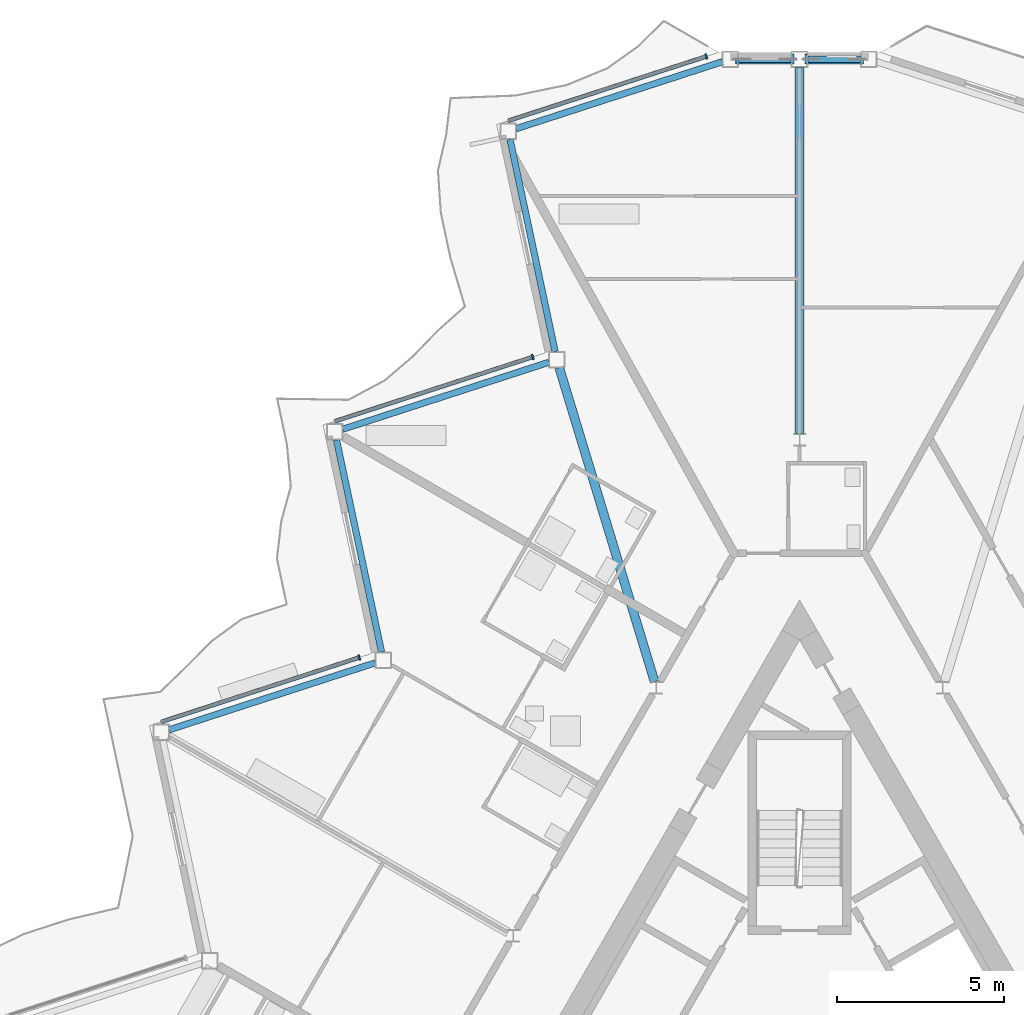
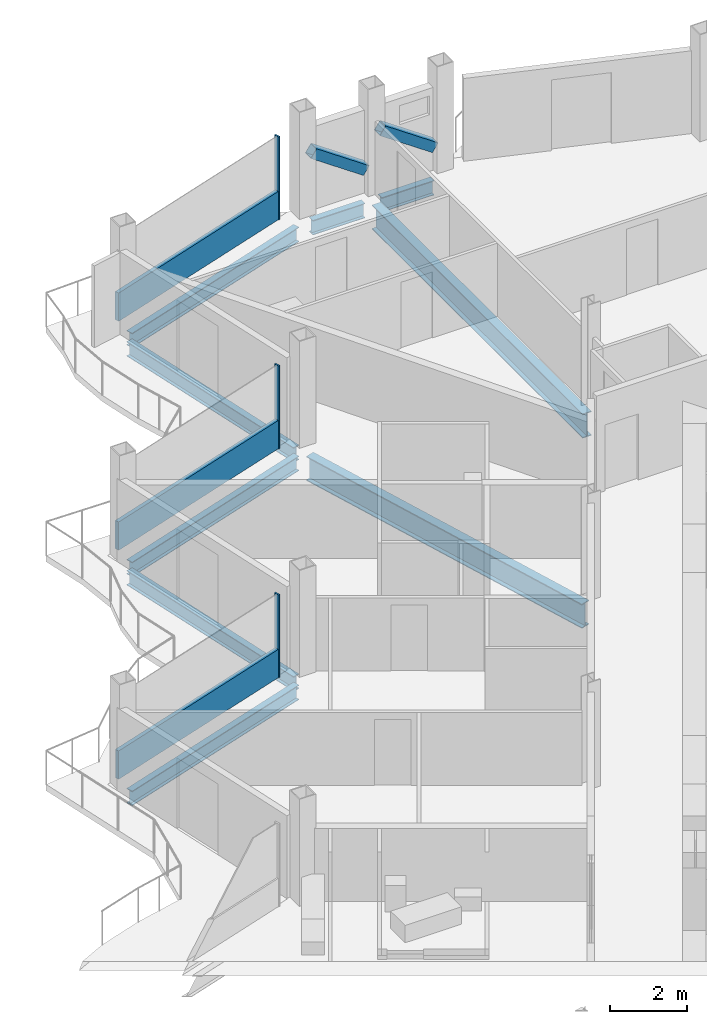
# One storey, part 9 of 26: 9 beams, 8 members, 3 elements without a shape of their own.
"""IFC4 building model written with IfcOpenShell, lengths in metres."""

import ifcopenshell
import ifcopenshell.guid

model = None  # the IFC model being written
_history = None  # IfcOwnerHistory: only IFC2X3 demands one
_inside = {}  # id of a spatial element -> (the spatial element, [elements in it])
_under = {}  # id of a project, library or spatial element -> (it, [spatial elements below it])
_declared = {}  # id of a project -> (the project, [libraries it declares])
_typed = {}  # id of a type object -> (the type object, [elements of that type])
_made_of = {}  # id of a material, layer set ... -> (it, [elements and type objects made of it])


def new_model(schema):
    """Start an empty IFC model of exactly this schema.

    Asked for "IFC4X3", IfcOpenShell would pick the latest addendum, in which some entities
    have other attributes; the version numbers below select the first issue.
    IFC2X3 requires an IfcOwnerHistory on every rooted entity: one is made here for all.
    """
    global model, _history
    if schema == "IFC4X3":
        model = ifcopenshell.file(schema_version=(4, 3, 0, 0))
    else:
        model = ifcopenshell.file(schema=schema)
    _inside.clear()
    _under.clear()
    _declared.clear()
    _typed.clear()
    _made_of.clear()
    _history = None
    if model.schema == "IFC2X3":
        org = make("IfcOrganization", Name="unknown")
        user = make(
            "IfcPersonAndOrganization",
            ThePerson=make("IfcPerson", FamilyName="unknown"),
            TheOrganization=org,
        )
        app = make(
            "IfcApplication",
            ApplicationDeveloper=org,
            Version="unknown",
            ApplicationFullName="unknown",
            ApplicationIdentifier="unknown",
        )
        _history = make(
            "IfcOwnerHistory",
            OwningUser=user,
            OwningApplication=app,
            ChangeAction="ADDED",
            CreationDate=0,
        )
    return model


def make(cls, **values):
    """One entity of the class cls with the attributes given. An attribute that is None is left unset."""
    return model.create_entity(
        cls, **{name: value for name, value in values.items() if value is not None}
    )


def rooted(cls, **values):
    """An entity with a GlobalId (a new one), such as an element, a storey or a relation."""
    return make(cls, GlobalId=ifcopenshell.guid.new(), OwnerHistory=_history, **values)


def si_unit(unit_type, name, prefix=None):
    """IfcSIUnit, for example si_unit("LENGTHUNIT", "METRE", prefix="MILLI")."""
    return make("IfcSIUnit", UnitType=unit_type, Prefix=prefix, Name=name)


def assignment(units):
    """IfcUnitAssignment: the units of a project."""
    return None if units is None else make("IfcUnitAssignment", Units=units)


def point(xyz):
    """IfcCartesianPoint."""
    return None if xyz is None else make("IfcCartesianPoint", Coordinates=xyz)


def direction(xyz):
    """IfcDirection."""
    return None if xyz is None else make("IfcDirection", DirectionRatios=xyz)


def frame(location, z_axis=None, x_axis=None):
    """IfcAxis2Placement3D, a coordinate frame: its origin and axes. An axis left out is left unset."""
    return make(
        "IfcAxis2Placement3D",
        Location=point(location),
        Axis=direction(z_axis),
        RefDirection=direction(x_axis),
    )


def frame_2d(location, x_axis=None):
    """IfcAxis2Placement2D, a coordinate frame in the plane: its origin and x axis."""
    return make(
        "IfcAxis2Placement2D", Location=point(location), RefDirection=direction(x_axis)
    )


def origin():
    """The frame at (0, 0, 0) with its axes left unset."""
    return frame((0.0, 0.0, 0.0))


def origin_2d():
    """The frame at (0, 0) in the plane with its x axis left unset."""
    return frame_2d((0.0, 0.0))


def place(relative_to, where):
    """IfcLocalPlacement: puts the frame where relative to a parent placement (None: the world)."""
    return make(
        "IfcLocalPlacement", PlacementRelTo=relative_to, RelativePlacement=where
    )


def context(
    kind, dimensions, precision=None, world=None, true_north=None, identifier=None
):
    """IfcGeometricRepresentationContext, for example the 3D "Model" context."""
    return make(
        "IfcGeometricRepresentationContext",
        ContextIdentifier=identifier,
        ContextType=kind,
        CoordinateSpaceDimension=dimensions,
        Precision=precision,
        WorldCoordinateSystem=world,
        TrueNorth=true_north,
    )


def subcontext(parent, identifier, kind, view, scale=None):
    """IfcGeometricRepresentationSubContext, for example "Body" below "Model"."""
    return make(
        "IfcGeometricRepresentationSubContext",
        ContextIdentifier=identifier,
        ContextType=kind,
        ParentContext=parent,
        TargetScale=scale,
        TargetView=view,
    )


def project(units=None, contexts=None):
    """IfcProject with its units and contexts."""
    return rooted(
        "IfcProject",
        Name="project",
        RepresentationContexts=contexts,
        UnitsInContext=assignment(units),
    )


def spatial(cls, under=None, at=None, **own):
    """A site, building, storey or space (cls), placed at a placement, below another one or the project."""
    s = rooted(cls, ObjectPlacement=at, **own)
    if under is not None:
        _under.setdefault(under.id(), (under, []))[1].append(s)
    return s


def profile(cls, at=None, kind="AREA", **sizes):
    """A parametric profile (cls). Its sizes go by their IFC names, for example OverallWidth=200.0."""
    return make(cls, ProfileType=kind, Position=at, **sizes)


def rectangle(**sizes):
    """IfcRectangleProfileDef."""
    return profile("IfcRectangleProfileDef", **sizes)


def hollow_rectangle(**sizes):
    """IfcRectangleHollowProfileDef."""
    return profile("IfcRectangleHollowProfileDef", **sizes)


def i_section(**sizes):
    """IfcIShapeProfileDef."""
    return profile("IfcIShapeProfileDef", **sizes)


def extrude(swept, where, along, depth):
    """IfcExtrudedAreaSolid: the profile swept, set in the frame where, extruded along a direction by depth."""
    return make(
        "IfcExtrudedAreaSolid",
        SweptArea=swept,
        Position=where,
        ExtrudedDirection=direction(along),
        Depth=depth,
    )


def shape(context_of_items, identifier, shape_type, items):
    """IfcShapeRepresentation: the items that make up one representation, for example the "Body"."""
    return make(
        "IfcShapeRepresentation",
        ContextOfItems=context_of_items,
        RepresentationIdentifier=identifier,
        RepresentationType=shape_type,
        Items=items,
    )


def material(Name=None, Category=None):
    """IfcMaterial."""
    return make("IfcMaterial", Name=Name, Category=Category)


def layer(
    of_material, thickness, ventilated=None, Name=None, Category=None, Priority=None
):
    """IfcMaterialLayer: one layer of a wall or slab, of a material (None: an air gap)."""
    return make(
        "IfcMaterialLayer",
        Material=of_material,
        LayerThickness=thickness,
        IsVentilated=ventilated,
        Name=Name,
        Category=Category,
        Priority=Priority,
    )


def layer_set(layers, Name=None):
    """IfcMaterialLayerSet."""
    return make("IfcMaterialLayerSet", MaterialLayers=layers, LayerSetName=Name)


def material_profile(
    of_material, cross_section, Name=None, Category=None, Priority=None
):
    """IfcMaterialProfile: a cross section and its material."""
    return make(
        "IfcMaterialProfile",
        Name=Name,
        Material=of_material,
        Profile=cross_section,
        Priority=Priority,
        Category=Category,
    )


def profile_set(profiles, Name=None, composite=None):
    """IfcMaterialProfileSet."""
    return make(
        "IfcMaterialProfileSet",
        Name=Name,
        MaterialProfiles=profiles,
        CompositeProfile=composite,
    )


def made_of(thing, what):
    """Note that an element or type object is made of a material, layer set ...; save() writes the relation."""
    if what is not None:
        _made_of.setdefault(what.id(), (what, []))[1].append(thing)
    return thing


def type_object(cls, material=None, **own):
    """A type object (cls), such as IfcWallType, which elements share."""
    return made_of(rooted(cls, **own), material)


def element(
    cls,
    number,
    at=None,
    inside=None,
    cuts=None,
    type_object=None,
    material=None,
    context=None,
    identifier="Body",
    shape_type=None,
    held_by="IfcProductDefinitionShape",
    body=None,
    shapes=None,
    **own,
):
    """One element of the class cls, such as IfcWall. Its Tag is "e" and its number.

    at: its placement. inside: the storey or other place that contains it. cuts: it is an
    opening in that element (IfcRelVoidsElement). A single representation is given by context,
    identifier, shape_type and body (its items); several are given by shapes. held_by: the class
    of the entity that holds the representations. save() writes the other relations.
    """
    e = rooted(cls, Tag="e%d" % number, ObjectPlacement=at, **own)
    if body is not None:
        shapes = [shape(context, identifier, shape_type, body)]
    if shapes is not None:
        e.Representation = make(held_by, Representations=shapes)
    if inside is not None:
        _inside.setdefault(inside.id(), (inside, []))[1].append(e)
    if cuts is not None:
        rooted(
            "IfcRelVoidsElement", RelatingBuildingElement=cuts, RelatedOpeningElement=e
        )
    if type_object is not None:
        _typed.setdefault(type_object.id(), (type_object, []))[1].append(e)
    return made_of(e, material)


def aggregate(whole, parts):
    """IfcRelAggregates: a whole, such as a stair, and the parts it consists of."""
    return rooted("IfcRelAggregates", RelatingObject=whole, RelatedObjects=parts)


def save(model, path):
    """Write the relations noted so far, then the file.

    IfcRelAggregates (storeys below a building ...), IfcRelContainedInSpatialStructure (elements
    in a storey), IfcRelDefinesByType, IfcRelAssociatesMaterial and IfcRelDeclares: one each for
    every whole, place, type object, material and project.
    """
    for whole, parts in _under.values():
        aggregate(whole, parts)
    for where, things in _inside.values():
        rooted(
            "IfcRelContainedInSpatialStructure",
            RelatedElements=things,
            RelatingStructure=where,
        )
    for kind, things in _typed.values():
        rooted("IfcRelDefinesByType", RelatedObjects=things, RelatingType=kind)
    for what, things in _made_of.values():
        rooted("IfcRelAssociatesMaterial", RelatedObjects=things, RelatingMaterial=what)
    for by, libraries in _declared.values():
        rooted("IfcRelDeclares", RelatingContext=by, RelatedDefinitions=libraries)
    model.write(path)


model = new_model("IFC4")

# Units and contexts
model_context = context("Model", 3, precision=1e-05, world=origin(), true_north=direction((0.0, 1.0)))
body_context = subcontext(model_context, "Body", "Model", "MODEL_VIEW")
ifc_project = project(units=[si_unit("LENGTHUNIT", "METRE"), si_unit("AREAUNIT", "SQUARE_METRE"), si_unit("VOLUMEUNIT", "CUBIC_METRE"), si_unit("PLANEANGLEUNIT", "RADIAN"), si_unit("MASSUNIT", "GRAM", prefix="KILO")], contexts=[model_context])

# Site, building, storey
site_placement = place(None, origin())
site = spatial("IfcSite", under=ifc_project, at=site_placement, CompositionType="ELEMENT")
building_placement = place(site_placement, origin())
building = spatial("IfcBuilding", under=site, at=building_placement, Name="Cormorant Prow Tower", CompositionType="ELEMENT")
storey_placement = place(building_placement, frame((0.0, 0.0, 384.800048828125)))
storey = spatial("IfcBuildingStorey", under=building, at=storey_placement, Name="L87", CompositionType="ELEMENT", Elevation=384.800048828125)

# Members
ifc_material_1 = material(Name="Structural steel ASTM A500 Gr C", Category="steel")
ifc_material_profile_1 = material_profile(ifc_material_1, hollow_rectangle(XDim=0.3046875, YDim=0.3046875, WallThickness=0.01171875, at=origin_2d()), Name="HSS12x12x1/2")
ifc_profile_set_1 = profile_set([ifc_material_profile_1], Name="Structural steel ASTM A500 Gr C")
member_type_1 = type_object("IfcMemberType", Name="Chamfer brace HSS12x12x1/2", PredefinedType="BRACE", material=ifc_profile_set_1)
for number, where, z_axis, x_axis, name in (
    (1, (1.8271484375, 31.219482421875, 0.7705078125), (-0.82250770082, 0.0, 0.568753973254), (0.0, -1.0, 0.0), "Chamfer brace BR3 at N00 L87"),
    (2, (-0.246826171875, 31.219482421875, 0.7705078125), (-0.82250770082, 0.0, 0.568753973254), (0.0, -1.0, 0.0), "Chamfer brace BR3 at N01 L87"),
):
    element("IfcMember", number, at=place(storey_placement, frame(where, z_axis=z_axis, x_axis=x_axis)), inside=storey, type_object=member_type_1, Name=name, PredefinedType="BRACE", context=body_context, shape_type="SweptSolid", body=[
        extrude(hollow_rectangle(XDim=0.3046875, YDim=0.3046875, WallThickness=0.01171875, at=origin_2d()), origin(), (0.0, 0.0, 1.0), 1.92138671875),
    ])

# Beams
ifc_material_2 = material(Name="Structural steel ASTM A992 Gr 50", Category="steel")
ifc_material_profile_2 = material_profile(ifc_material_2, i_section(OverallWidth=0.267822265625, OverallDepth=0.77001953125, WebThickness=0.015625, FlangeThickness=0.025390625, at=origin_2d()), Name="W30x132")
ifc_profile_set_2 = profile_set([ifc_material_profile_2], Name="Structural steel ASTM A992 Gr 50")
beam_type_1 = type_object("IfcBeamType", Name="Radial floor beam W30x132", PredefinedType="BEAM", material=ifc_profile_set_2)
beam_1_placement = place(storey_placement, frame((0.0, 19.998046875, -0.68505859375), z_axis=(0.0, 1.0, 0.0), x_axis=(-1.0, 0.0, 0.0)))
element("IfcBeam", 3, at=beam_1_placement, inside=storey, type_object=beam_type_1, Name="Radial floor beam FB3 1 L87", PredefinedType="BEAM", context=body_context, shape_type="SweptSolid", body=[
    extrude(i_section(OverallWidth=0.267822265625, OverallDepth=0.77001953125, WebThickness=0.015625, FlangeThickness=0.025390625, at=origin_2d()), origin(), (0.0, 0.0, 1.0), 10.971435546875),
])
beam_2_placement = place(storey_placement, frame((-4.343505859375, 12.560791015625, -0.68505859375), z_axis=(-0.290499864147, 0.956875033079, 0.0), x_axis=(-0.956875033079, -0.290499864147, 0.0)))
element("IfcBeam", 4, at=beam_2_placement, inside=storey, type_object=beam_type_1, Name="Radial floor beam FB3 2 L87", PredefinedType="BEAM", context=body_context, shape_type="SweptSolid", body=[
    extrude(i_section(OverallWidth=0.267822265625, OverallDepth=0.77001953125, WebThickness=0.015625, FlangeThickness=0.025390625, at=origin_2d()), origin(), (0.0, 0.0, 1.0), 9.837158203125),
])

# Curtain wall, member
ifc_material_3 = material(Name="Aluminium 6063-T6", Category="aluminium")
ifc_layer = layer(ifc_material_3, 0.159912109375)
ifc_layer_set = layer_set([ifc_layer], Name="Aluminium 6063-T6")
curtain_wall_type = type_object("IfcCurtainWallType", Name="Residential unitised curtain wall 160", PredefinedType="NOTDEFINED", material=ifc_layer_set)
curtain_wall_1_placement = place(storey_placement, origin())
curtain_wall_1 = element("IfcCurtainWall", 5, at=curtain_wall_1_placement, inside=storey, type_object=curtain_wall_type, Name="Residential curtain wall WNW00", PredefinedType="NOTDEFINED")
ifc_material_4 = material(Name="Aluminium 6063-T6", Category="aluminium")
ifc_material_profile_3 = material_profile(ifc_material_4, rectangle(XDim=0.159912109375, YDim=0.050048828125, at=origin_2d()), Name="Residential mullion 50x160")
ifc_profile_set_3 = profile_set([ifc_material_profile_3], Name="Aluminium 6063-T6")
member_type_2 = type_object("IfcMemberType", Name="Residential mullion 50x160", PredefinedType="MULLION", material=ifc_profile_set_3)
member_1_placement = place(storey_placement, frame((-2.79541015625, 31.30078125, 0.0), z_axis=(0.0, 0.0, 1.0), x_axis=(0.309017024369, -0.951056506549, 0.0)))
member_1 = element("IfcMember", 6, at=member_1_placement, type_object=member_type_2, Name="Residential mullion WNW00", PredefinedType="MULLION", context=body_context, shape_type="SweptSolid", body=[
    extrude(rectangle(XDim=0.159912109375, YDim=0.050048828125, at=origin_2d()), origin(), (0.0, 0.0, 1.0), 2.6337890625),
])

curtain_wall_2_placement = place(storey_placement, origin())
curtain_wall_2 = element("IfcCurtainWall", 7, at=curtain_wall_2_placement, inside=storey, type_object=curtain_wall_type, Name="Residential curtain wall WNW02", PredefinedType="NOTDEFINED")
member_2_placement = place(storey_placement, frame((-7.995361328125, 22.2939453125, 0.0), z_axis=(0.0, 0.0, 1.0), x_axis=(0.309017024369, -0.951056506549, 0.0)))
member_2 = element("IfcMember", 8, at=member_2_placement, type_object=member_type_2, Name="Residential mullion WNW02", PredefinedType="MULLION", context=body_context, shape_type="SweptSolid", body=[
    extrude(rectangle(XDim=0.159912109375, YDim=0.050048828125, at=origin_2d()), origin(), (0.0, 0.0, 1.0), 2.6337890625),
])

curtain_wall_3_placement = place(storey_placement, origin())
curtain_wall_3 = element("IfcCurtainWall", 9, at=curtain_wall_3_placement, inside=storey, type_object=curtain_wall_type, Name="Residential curtain wall WNW04", PredefinedType="NOTDEFINED")
member_3_placement = place(storey_placement, frame((-13.195556640625, 13.287353515625, 0.0), z_axis=(0.0, 0.0, 1.0), x_axis=(0.309016895096, -0.951056548553, 0.0)))
member_3 = element("IfcMember", 10, at=member_3_placement, type_object=member_type_2, Name="Residential mullion WNW04", PredefinedType="MULLION", context=body_context, shape_type="SweptSolid", body=[
    extrude(rectangle(XDim=0.159912109375, YDim=0.050048828125, at=origin_2d()), origin(), (0.0, 0.0, 1.0), 2.6337890625),
])

# Member
ifc_material_5 = material(Name="Terracotta", Category="masonry")
ifc_material_profile_4 = material_profile(ifc_material_5, rectangle(XDim=0.1201171875, YDim=0.89990234375, at=origin_2d()), Name="Residential terracotta spandrel rail 120x900")
ifc_profile_set_4 = profile_set([ifc_material_profile_4], Name="Terracotta")
member_type_3 = type_object("IfcMemberType", Name="Residential terracotta spandrel rail 120x900", PredefinedType="USERDEFINED", material=ifc_profile_set_4)
member_4_placement = place(storey_placement, frame((-2.8193359375, 31.29296875, 0.449951171875), z_axis=(-0.951056004715, -0.309018568854, 0.0), x_axis=(0.309018568854, -0.951056004715, 0.0)))
member_4 = element("IfcMember", 11, at=member_4_placement, type_object=member_type_3, Name="Residential spandrel rail WNW00", ObjectType="TRANSOM", PredefinedType="USERDEFINED", context=body_context, shape_type="SweptSolid", body=[
    extrude(rectangle(XDim=0.1201171875, YDim=0.89990234375, at=origin_2d()), origin(), (0.0, 0.0, 1.0), 6.21533203125),
])

aggregate(curtain_wall_1, [member_1, member_4])

member_5_placement = place(storey_placement, frame((-8.019287109375, 22.286376953125, 0.449951171875), z_axis=(-0.951056004715, -0.309018568854, 0.0), x_axis=(0.309018568854, -0.951056004715, 0.0)))
member_5 = element("IfcMember", 12, at=member_5_placement, type_object=member_type_3, Name="Residential spandrel rail WNW02", ObjectType="TRANSOM", PredefinedType="USERDEFINED", context=body_context, shape_type="SweptSolid", body=[
    extrude(rectangle(XDim=0.1201171875, YDim=0.89990234375, at=origin_2d()), origin(), (0.0, 0.0, 1.0), 6.21533203125),
])

aggregate(curtain_wall_2, [member_2, member_5])

member_6_placement = place(storey_placement, frame((-13.21923828125, 13.279541015625, 0.449951171875), z_axis=(-0.951056004715, -0.309018568854, 0.0), x_axis=(0.309018568854, -0.951056004715, 0.0)))
member_6 = element("IfcMember", 13, at=member_6_placement, type_object=member_type_3, Name="Residential spandrel rail WNW04", ObjectType="TRANSOM", PredefinedType="USERDEFINED", context=body_context, shape_type="SweptSolid", body=[
    extrude(rectangle(XDim=0.1201171875, YDim=0.89990234375, at=origin_2d()), origin(), (0.0, 0.0, 1.0), 6.21533203125),
])

aggregate(curtain_wall_3, [member_3, member_6])

# Beams
ifc_material_6 = material(Name="Structural steel ASTM A992 Gr 50", Category="steel")
ifc_material_profile_5 = material_profile(ifc_material_6, i_section(OverallWidth=0.19287109375, OverallDepth=0.466064453125, WebThickness=0.011474609375, FlangeThickness=0.01904296875, at=origin_2d()), Name="W18x65")
ifc_profile_set_5 = profile_set([ifc_material_profile_5], Name="Structural steel ASTM A992 Gr 50")
beam_type_2 = type_object("IfcBeamType", Name="Spandrel beam W18x65", PredefinedType="SPANDREL", material=ifc_profile_set_5)
for number, where, z_axis, x_axis, name in (
    (14, (1.82373046875, 31.219482421875, -0.533203125), (-1.0, 0.0, 0.0), (0.0, -1.0, 0.0), "Spandrel beam SB4 N00-N01 L87"),
    (15, (-0.25, 31.219482421875, -0.533203125), (-1.0, 0.0, 0.0), (0.0, -1.0, 0.0), "Spandrel beam SB4 N01-WNW00 L87"),
):
    element("IfcBeam", number, at=place(storey_placement, frame(where, z_axis=z_axis, x_axis=x_axis)), inside=storey, type_object=beam_type_2, Name=name, PredefinedType="SPANDREL", context=body_context, shape_type="SweptSolid", body=[
        extrude(i_section(OverallWidth=0.19287109375, OverallDepth=0.466064453125, WebThickness=0.011474609375, FlangeThickness=0.01904296875, at=origin_2d()), origin(), (0.0, 0.0, 1.0), 1.57373046875),
    ])
for number, where, z_axis, x_axis, name in (
    (16, (-2.3115234375, 31.142333984375, -0.533203125), (-0.951056984862, -0.30901555227, 0.0), (0.30901555227, -0.951056984862, 0.0), "Spandrel beam SB4 WNW00-WNW01 L87"),
    (17, (-8.6767578125, 28.812744140625, -0.533203125), (0.20793784774, -0.978142040543, 0.0), (0.978142040543, 0.20793784774, 0.0), "Spandrel beam SB4 WNW01-WNW02 L87"),
):
    element("IfcBeam", number, at=place(storey_placement, frame(where, z_axis=z_axis, x_axis=x_axis)), inside=storey, type_object=beam_type_2, Name=name, PredefinedType="SPANDREL", context=body_context, shape_type="SweptSolid", body=[
        extrude(i_section(OverallWidth=0.19287109375, OverallDepth=0.466064453125, WebThickness=0.011474609375, FlangeThickness=0.01904296875, at=origin_2d()), origin(), (0.0, 0.0, 1.0), 6.49755859375),
    ])
beam_3_placement = place(storey_placement, frame((-7.511474609375, 22.135498046875, -0.533203125), z_axis=(-0.951068027308, -0.308981564875, 0.0), x_axis=(0.308981564875, -0.951068027308, 0.0)))
element("IfcBeam", 18, at=beam_3_placement, inside=storey, type_object=beam_type_2, Name="Spandrel beam SB4 WNW02-WNW03 L87", PredefinedType="SPANDREL", context=body_context, shape_type="SweptSolid", body=[
    extrude(i_section(OverallWidth=0.19287109375, OverallDepth=0.466064453125, WebThickness=0.011474609375, FlangeThickness=0.01904296875, at=origin_2d()), origin(), (0.0, 0.0, 1.0), 6.497314453125),
])
beam_4_placement = place(storey_placement, frame((-13.876708984375, 19.80615234375, -0.533203125), z_axis=(0.207901897373, -0.978149682344, 0.0), x_axis=(0.978149682344, 0.207901897373, 0.0)))
element("IfcBeam", 19, at=beam_4_placement, inside=storey, type_object=beam_type_2, Name="Spandrel beam SB4 WNW03-WNW04 L87", PredefinedType="SPANDREL", context=body_context, shape_type="SweptSolid", body=[
    extrude(i_section(OverallWidth=0.19287109375, OverallDepth=0.466064453125, WebThickness=0.011474609375, FlangeThickness=0.01904296875, at=origin_2d()), origin(), (0.0, 0.0, 1.0), 6.49755859375),
])
beam_5_placement = place(storey_placement, frame((-12.711669921875, 13.12890625, -0.533203125), z_axis=(-0.951053396625, -0.309026595569, 0.0), x_axis=(0.309026595569, -0.951053396625, 0.0)))
element("IfcBeam", 20, at=beam_5_placement, inside=storey, type_object=beam_type_2, Name="Spandrel beam SB4 WNW04-WNW05 L87", PredefinedType="SPANDREL", context=body_context, shape_type="SweptSolid", body=[
    extrude(i_section(OverallWidth=0.19287109375, OverallDepth=0.466064453125, WebThickness=0.011474609375, FlangeThickness=0.01904296875, at=origin_2d()), origin(), (0.0, 0.0, 1.0), 6.497314453125),
])

save(model, "model.ifc")
